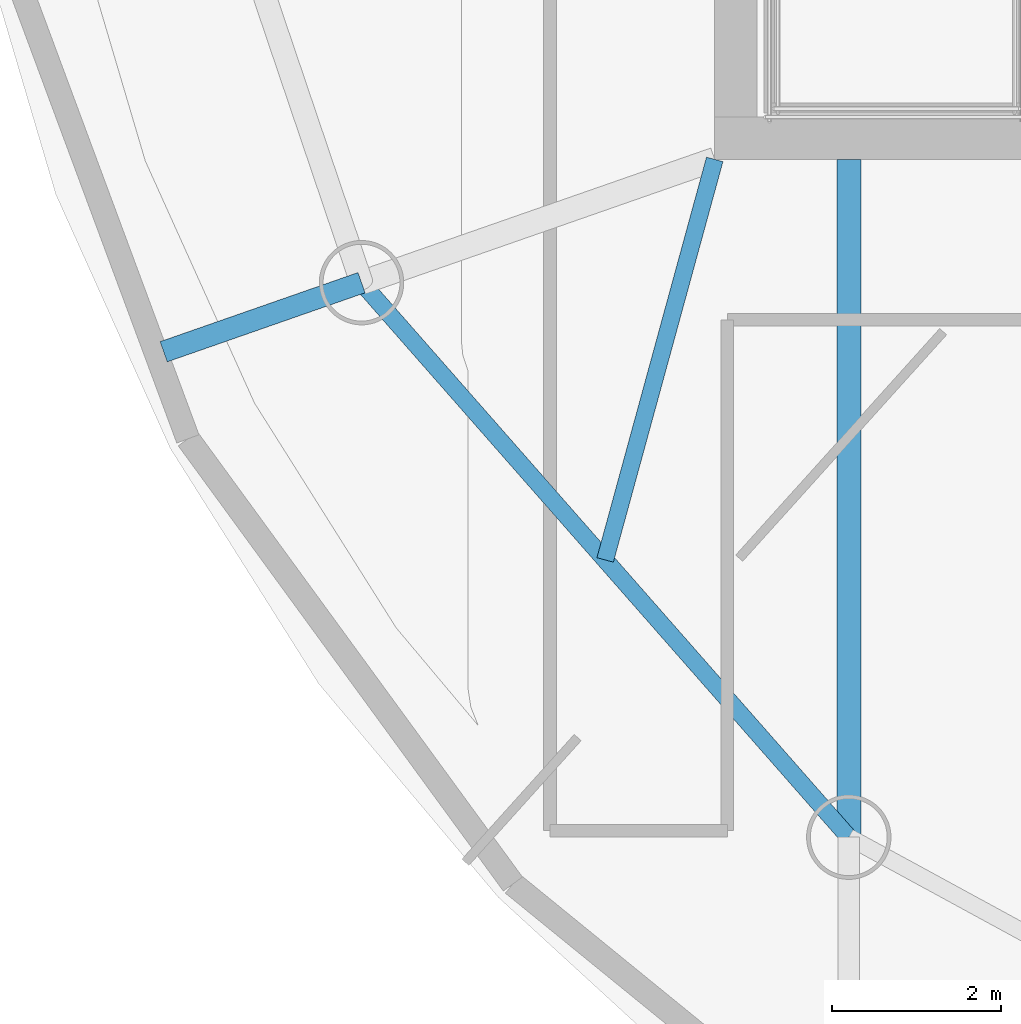
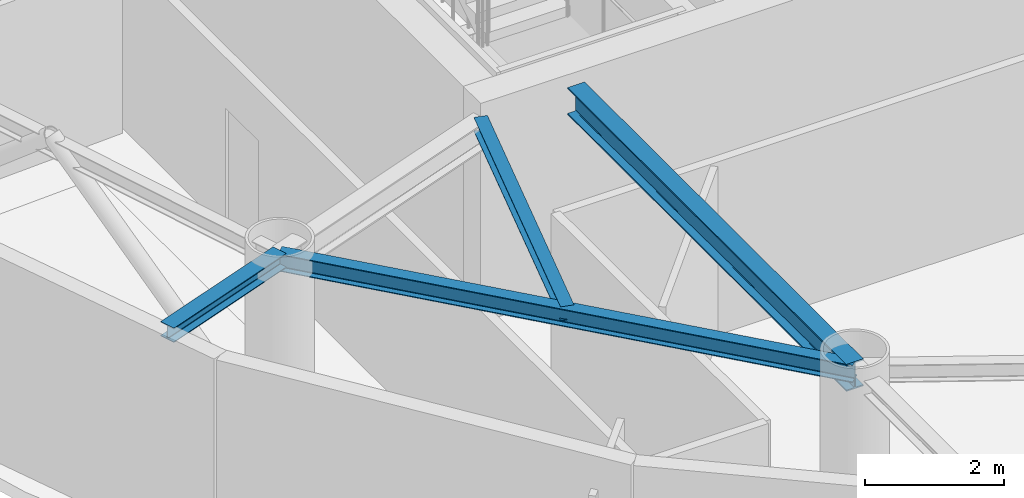
# One storey, part 3 of 17: 4 beams.
"""IFC4 building model written with IfcOpenShell, lengths in metres."""

import ifcopenshell
import ifcopenshell.guid

model = None  # the IFC model being written
_history = None  # IfcOwnerHistory: only IFC2X3 demands one
_inside = {}  # id of a spatial element -> (the spatial element, [elements in it])
_under = {}  # id of a project, library or spatial element -> (it, [spatial elements below it])
_declared = {}  # id of a project -> (the project, [libraries it declares])
_typed = {}  # id of a type object -> (the type object, [elements of that type])
_made_of = {}  # id of a material, layer set ... -> (it, [elements and type objects made of it])


def new_model(schema):
    """Start an empty IFC model of exactly this schema.

    Asked for "IFC4X3", IfcOpenShell would pick the latest addendum, in which some entities
    have other attributes; the version numbers below select the first issue.
    IFC2X3 requires an IfcOwnerHistory on every rooted entity: one is made here for all.
    """
    global model, _history
    if schema == "IFC4X3":
        model = ifcopenshell.file(schema_version=(4, 3, 0, 0))
    else:
        model = ifcopenshell.file(schema=schema)
    _inside.clear()
    _under.clear()
    _declared.clear()
    _typed.clear()
    _made_of.clear()
    _history = None
    if model.schema == "IFC2X3":
        org = make("IfcOrganization", Name="unknown")
        user = make(
            "IfcPersonAndOrganization",
            ThePerson=make("IfcPerson", FamilyName="unknown"),
            TheOrganization=org,
        )
        app = make(
            "IfcApplication",
            ApplicationDeveloper=org,
            Version="unknown",
            ApplicationFullName="unknown",
            ApplicationIdentifier="unknown",
        )
        _history = make(
            "IfcOwnerHistory",
            OwningUser=user,
            OwningApplication=app,
            ChangeAction="ADDED",
            CreationDate=0,
        )
    return model


def make(cls, **values):
    """One entity of the class cls with the attributes given. An attribute that is None is left unset."""
    return model.create_entity(
        cls, **{name: value for name, value in values.items() if value is not None}
    )


def rooted(cls, **values):
    """An entity with a GlobalId (a new one), such as an element, a storey or a relation."""
    return make(cls, GlobalId=ifcopenshell.guid.new(), OwnerHistory=_history, **values)


def si_unit(unit_type, name, prefix=None):
    """IfcSIUnit, for example si_unit("LENGTHUNIT", "METRE", prefix="MILLI")."""
    return make("IfcSIUnit", UnitType=unit_type, Prefix=prefix, Name=name)


def assignment(units):
    """IfcUnitAssignment: the units of a project."""
    return None if units is None else make("IfcUnitAssignment", Units=units)


def point(xyz):
    """IfcCartesianPoint."""
    return None if xyz is None else make("IfcCartesianPoint", Coordinates=xyz)


def direction(xyz):
    """IfcDirection."""
    return None if xyz is None else make("IfcDirection", DirectionRatios=xyz)


def frame(location, z_axis=None, x_axis=None):
    """IfcAxis2Placement3D, a coordinate frame: its origin and axes. An axis left out is left unset."""
    return make(
        "IfcAxis2Placement3D",
        Location=point(location),
        Axis=direction(z_axis),
        RefDirection=direction(x_axis),
    )


def frame_2d(location, x_axis=None):
    """IfcAxis2Placement2D, a coordinate frame in the plane: its origin and x axis."""
    return make(
        "IfcAxis2Placement2D", Location=point(location), RefDirection=direction(x_axis)
    )


def origin():
    """The frame at (0, 0, 0) with its axes left unset."""
    return frame((0.0, 0.0, 0.0))


def origin_2d():
    """The frame at (0, 0) in the plane with its x axis left unset."""
    return frame_2d((0.0, 0.0))


def place(relative_to, where):
    """IfcLocalPlacement: puts the frame where relative to a parent placement (None: the world)."""
    return make(
        "IfcLocalPlacement", PlacementRelTo=relative_to, RelativePlacement=where
    )


def context(
    kind, dimensions, precision=None, world=None, true_north=None, identifier=None
):
    """IfcGeometricRepresentationContext, for example the 3D "Model" context."""
    return make(
        "IfcGeometricRepresentationContext",
        ContextIdentifier=identifier,
        ContextType=kind,
        CoordinateSpaceDimension=dimensions,
        Precision=precision,
        WorldCoordinateSystem=world,
        TrueNorth=true_north,
    )


def subcontext(parent, identifier, kind, view, scale=None):
    """IfcGeometricRepresentationSubContext, for example "Body" below "Model"."""
    return make(
        "IfcGeometricRepresentationSubContext",
        ContextIdentifier=identifier,
        ContextType=kind,
        ParentContext=parent,
        TargetScale=scale,
        TargetView=view,
    )


def project(units=None, contexts=None):
    """IfcProject with its units and contexts."""
    return rooted(
        "IfcProject",
        Name="project",
        RepresentationContexts=contexts,
        UnitsInContext=assignment(units),
    )


def spatial(cls, under=None, at=None, **own):
    """A site, building, storey or space (cls), placed at a placement, below another one or the project."""
    s = rooted(cls, ObjectPlacement=at, **own)
    if under is not None:
        _under.setdefault(under.id(), (under, []))[1].append(s)
    return s


def profile(cls, at=None, kind="AREA", **sizes):
    """A parametric profile (cls). Its sizes go by their IFC names, for example OverallWidth=200.0."""
    return make(cls, ProfileType=kind, Position=at, **sizes)


def i_section(**sizes):
    """IfcIShapeProfileDef."""
    return profile("IfcIShapeProfileDef", **sizes)


def extrude(swept, where, along, depth):
    """IfcExtrudedAreaSolid: the profile swept, set in the frame where, extruded along a direction by depth."""
    return make(
        "IfcExtrudedAreaSolid",
        SweptArea=swept,
        Position=where,
        ExtrudedDirection=direction(along),
        Depth=depth,
    )


def shape(context_of_items, identifier, shape_type, items):
    """IfcShapeRepresentation: the items that make up one representation, for example the "Body"."""
    return make(
        "IfcShapeRepresentation",
        ContextOfItems=context_of_items,
        RepresentationIdentifier=identifier,
        RepresentationType=shape_type,
        Items=items,
    )


def material(Name=None, Category=None):
    """IfcMaterial."""
    return make("IfcMaterial", Name=Name, Category=Category)


def material_profile(
    of_material, cross_section, Name=None, Category=None, Priority=None
):
    """IfcMaterialProfile: a cross section and its material."""
    return make(
        "IfcMaterialProfile",
        Name=Name,
        Material=of_material,
        Profile=cross_section,
        Priority=Priority,
        Category=Category,
    )


def profile_set(profiles, Name=None, composite=None):
    """IfcMaterialProfileSet."""
    return make(
        "IfcMaterialProfileSet",
        Name=Name,
        MaterialProfiles=profiles,
        CompositeProfile=composite,
    )


def made_of(thing, what):
    """Note that an element or type object is made of a material, layer set ...; save() writes the relation."""
    if what is not None:
        _made_of.setdefault(what.id(), (what, []))[1].append(thing)
    return thing


def type_object(cls, material=None, **own):
    """A type object (cls), such as IfcWallType, which elements share."""
    return made_of(rooted(cls, **own), material)


def element(
    cls,
    number,
    at=None,
    inside=None,
    cuts=None,
    type_object=None,
    material=None,
    context=None,
    identifier="Body",
    shape_type=None,
    held_by="IfcProductDefinitionShape",
    body=None,
    shapes=None,
    **own,
):
    """One element of the class cls, such as IfcWall. Its Tag is "e" and its number.

    at: its placement. inside: the storey or other place that contains it. cuts: it is an
    opening in that element (IfcRelVoidsElement). A single representation is given by context,
    identifier, shape_type and body (its items); several are given by shapes. held_by: the class
    of the entity that holds the representations. save() writes the other relations.
    """
    e = rooted(cls, Tag="e%d" % number, ObjectPlacement=at, **own)
    if body is not None:
        shapes = [shape(context, identifier, shape_type, body)]
    if shapes is not None:
        e.Representation = make(held_by, Representations=shapes)
    if inside is not None:
        _inside.setdefault(inside.id(), (inside, []))[1].append(e)
    if cuts is not None:
        rooted(
            "IfcRelVoidsElement", RelatingBuildingElement=cuts, RelatedOpeningElement=e
        )
    if type_object is not None:
        _typed.setdefault(type_object.id(), (type_object, []))[1].append(e)
    return made_of(e, material)


def aggregate(whole, parts):
    """IfcRelAggregates: a whole, such as a stair, and the parts it consists of."""
    return rooted("IfcRelAggregates", RelatingObject=whole, RelatedObjects=parts)


def save(model, path):
    """Write the relations noted so far, then the file.

    IfcRelAggregates (storeys below a building ...), IfcRelContainedInSpatialStructure (elements
    in a storey), IfcRelDefinesByType, IfcRelAssociatesMaterial and IfcRelDeclares: one each for
    every whole, place, type object, material and project.
    """
    for whole, parts in _under.values():
        aggregate(whole, parts)
    for where, things in _inside.values():
        rooted(
            "IfcRelContainedInSpatialStructure",
            RelatedElements=things,
            RelatingStructure=where,
        )
    for kind, things in _typed.values():
        rooted("IfcRelDefinesByType", RelatedObjects=things, RelatingType=kind)
    for what, things in _made_of.values():
        rooted("IfcRelAssociatesMaterial", RelatedObjects=things, RelatingMaterial=what)
    for by, libraries in _declared.values():
        rooted("IfcRelDeclares", RelatingContext=by, RelatedDefinitions=libraries)
    model.write(path)


model = new_model("IFC4")

# Units and contexts
model_context = context("Model", 3, precision=1e-05, world=origin(), true_north=direction((0.0, 1.0)))
body_context = subcontext(model_context, "Body", "Model", "MODEL_VIEW")
ifc_project = project(units=[si_unit("LENGTHUNIT", "METRE"), si_unit("AREAUNIT", "SQUARE_METRE"), si_unit("VOLUMEUNIT", "CUBIC_METRE"), si_unit("PLANEANGLEUNIT", "RADIAN"), si_unit("MASSUNIT", "GRAM", prefix="KILO")], contexts=[model_context])

# Site, building, storey
site_placement = place(None, origin())
site = spatial("IfcSite", under=ifc_project, at=site_placement, CompositionType="ELEMENT")
building_placement = place(site_placement, origin())
building = spatial("IfcBuilding", under=site, at=building_placement, Name="Bramvorn Convention Spire", CompositionType="ELEMENT")
storey_placement = place(building_placement, frame((0.0, 0.0, 280.550048828125)))
storey = spatial("IfcBuildingStorey", under=building, at=storey_placement, Name="L71", CompositionType="ELEMENT", Elevation=280.550048828125)

# Beams
ifc_material = material(Name="Steel CSA G40.21 Grade 350 (350W)", Category="steel")
ifc_material_profile_1 = material_profile(ifc_material, i_section(OverallWidth=0.201904296875, OverallDepth=0.2470703125, WebThickness=0.00732421875, FlangeThickness=0.010986328125, FilletRadius=0.011962890625, at=origin_2d()))
ifc_profile_set_1 = profile_set([ifc_material_profile_1], Name="Steel CSA G40.21 Grade 350 (350W) - W250X49")
beam_type_1 = type_object("IfcBeamType", Name="BM-W250X49", PredefinedType="JOIST", material=ifc_profile_set_1)
beam_1_placement = place(storey_placement, frame((26.75, 18.550048828125, 3.50146484375), z_axis=(-0.26386506219, -0.96455960363, 0.0), x_axis=(0.96455960363, -0.26386506219, 0.0)))
element("IfcBeam", 1, at=beam_1_placement, inside=storey, type_object=beam_type_1, Name="L71 composite floor joist 13", PredefinedType="JOIST", context=body_context, shape_type="SweptSolid", body=[
    extrude(i_section(OverallWidth=0.201904296875, OverallDepth=0.2470703125, WebThickness=0.00732421875, FlangeThickness=0.010986328125, FilletRadius=0.011962890625, at=origin_2d()), origin(), (0.0, 0.0, 1.0), 4.917724609375),
])
ifc_material_profile_2 = material_profile(ifc_material, i_section(OverallWidth=0.25390625, OverallDepth=0.2529296875, WebThickness=0.008544921875, FlangeThickness=0.01416015625, FilletRadius=0.011962890625, at=origin_2d()))
ifc_profile_set_2 = profile_set([ifc_material_profile_2], Name="Steel CSA G40.21 Grade 350 (350W) - W250X73")
beam_type_2 = type_object("IfcBeamType", Name="BM-W250X73", PredefinedType="BEAM", material=ifc_profile_set_2)
beam_2_placement = place(storey_placement, frame((22.5673828125, 17.090087890625, 3.49853515625), z_axis=(-0.944112643564, -0.329622991101, 0.0), x_axis=(0.329622991101, -0.944112643564, 0.0)))
element("IfcBeam", 2, at=beam_2_placement, inside=storey, type_object=beam_type_2, Name="L71 slab-edge cantilever tip beam MC13", PredefinedType="BEAM", context=body_context, shape_type="SweptSolid", body=[
    extrude(i_section(OverallWidth=0.25390625, OverallDepth=0.2529296875, WebThickness=0.008544921875, FlangeThickness=0.01416015625, FilletRadius=0.011962890625, at=origin_2d()), origin(), (0.0, 0.0, 1.0), 2.48193359375),
])
ifc_material_profile_3 = material_profile(ifc_material, i_section(OverallWidth=0.202880859375, OverallDepth=0.302978515625, WebThickness=0.007568359375, FlangeThickness=0.01318359375, FilletRadius=0.013916015625, at=origin_2d()))
ifc_profile_set_3 = profile_set([ifc_material_profile_3], Name="Steel CSA G40.21 Grade 350 (350W) - W310X60")
beam_type_3 = type_object("IfcBeamType", Name="BM-W310X60", PredefinedType="JOIST", material=ifc_profile_set_3)
beam_3_placement = place(storey_placement, frame((22.5673828125, 17.090087890625, 3.473388671875), z_axis=(0.660073062339, -0.751201405999, 0.0), x_axis=(0.751201405999, 0.660073062339, 0.0)))
element("IfcBeam", 3, at=beam_3_placement, inside=storey, type_object=beam_type_3, Name="L71 mega-column ring beam 13", PredefinedType="JOIST", context=body_context, shape_type="SweptSolid", body=[
    extrude(i_section(OverallWidth=0.202880859375, OverallDepth=0.302978515625, WebThickness=0.007568359375, FlangeThickness=0.01318359375, FilletRadius=0.013916015625, at=origin_2d()), origin(), (0.0, 0.0, 1.0), 8.741943359375),
])
ifc_material_profile_4 = material_profile(ifc_material, i_section(OverallWidth=0.283935546875, OverallDepth=0.47607421875, WebThickness=0.014892578125, FlangeThickness=0.02392578125, FilletRadius=0.01806640625, at=origin_2d()))
ifc_profile_set_4 = profile_set([ifc_material_profile_4], Name="Steel CSA G40.21 Grade 350 (350W) - W460X158")
beam_type_4 = type_object("IfcBeamType", Name="BM-W460X158", PredefinedType="SPANDREL", material=ifc_profile_set_4)
beam_4_placement = place(storey_placement, frame((28.337646484375, 18.550048828125, 3.386962890625), z_axis=(0.0, -1.0, 0.0), x_axis=(1.0, 0.0, 0.0)))
element("IfcBeam", 4, at=beam_4_placement, inside=storey, type_object=beam_type_4, Name="L71 radial floor girder MC14", PredefinedType="SPANDREL", context=body_context, shape_type="SweptSolid", body=[
    extrude(i_section(OverallWidth=0.283935546875, OverallDepth=0.47607421875, WebThickness=0.014892578125, FlangeThickness=0.02392578125, FilletRadius=0.01806640625, at=origin_2d()), origin(), (0.0, 0.0, 1.0), 8.02685546875),
])

save(model, "model.ifc")
